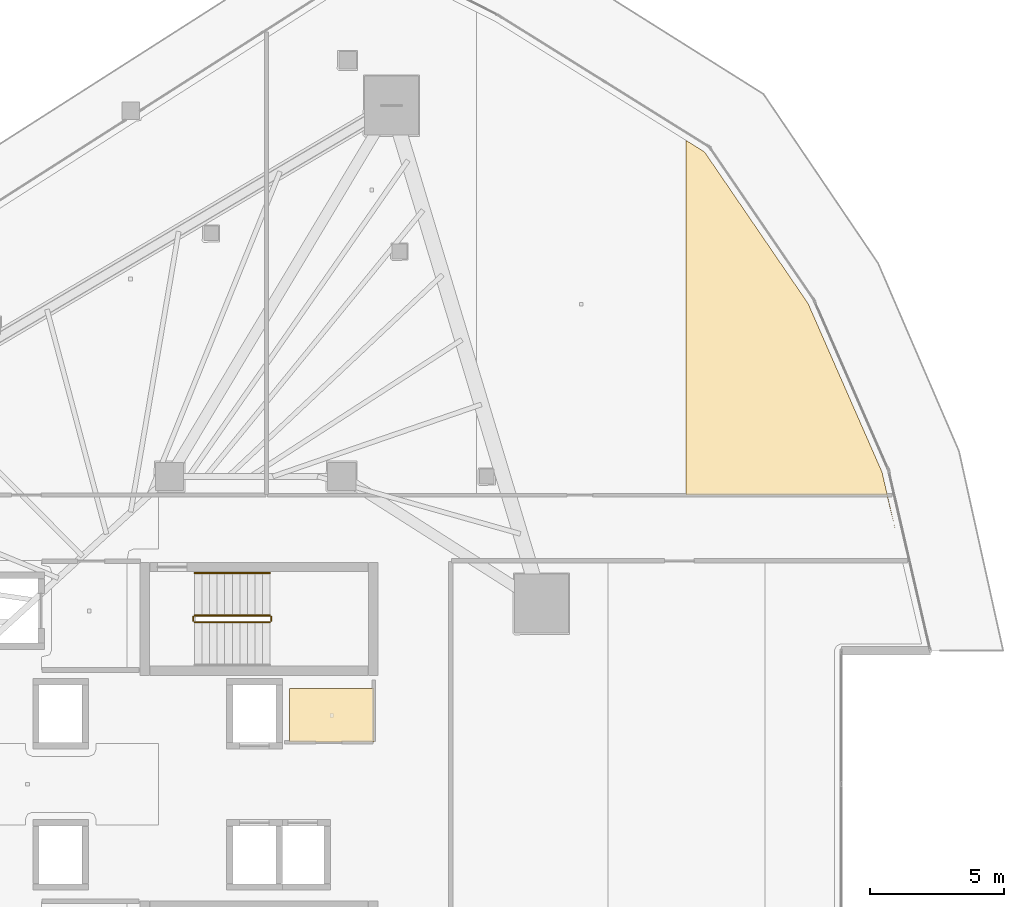
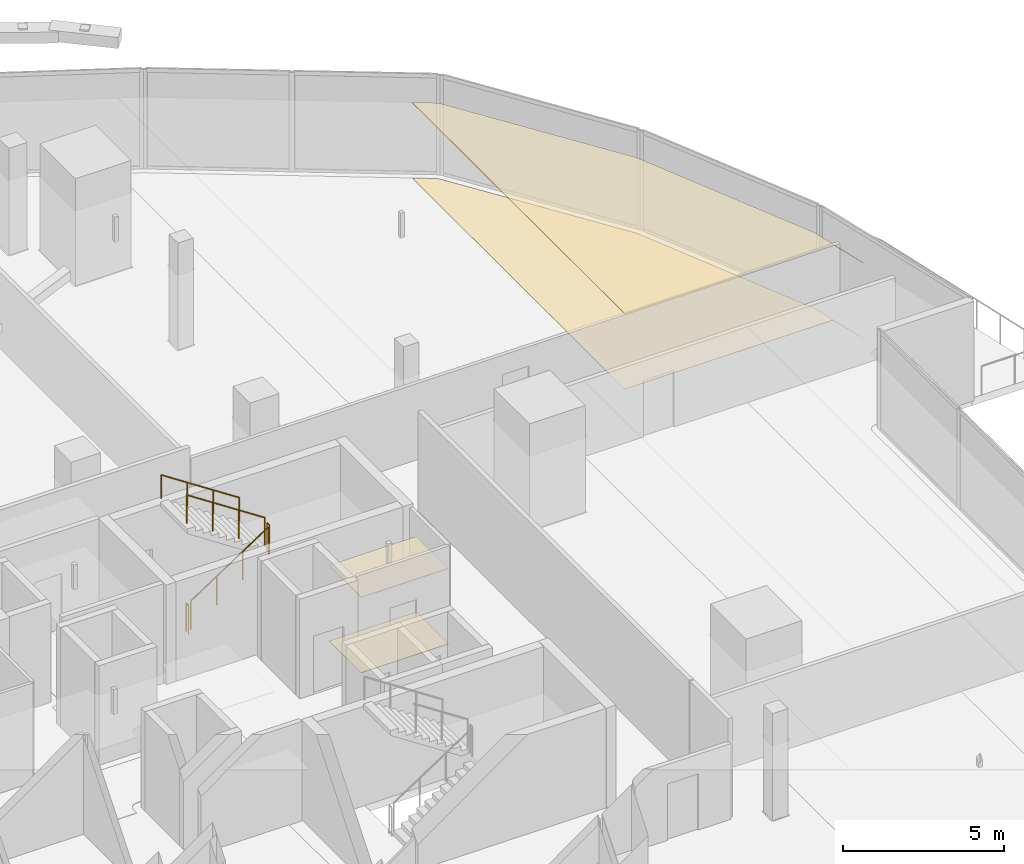
# One storey, part 44 of 45: 5 railings, 4 coverings.
"""IFC4 building model written with IfcOpenShell, lengths in metres."""

import ifcopenshell
import ifcopenshell.guid

model = None  # the IFC model being written
_history = None  # IfcOwnerHistory: only IFC2X3 demands one
_inside = {}  # id of a spatial element -> (the spatial element, [elements in it])
_under = {}  # id of a project, library or spatial element -> (it, [spatial elements below it])
_declared = {}  # id of a project -> (the project, [libraries it declares])
_typed = {}  # id of a type object -> (the type object, [elements of that type])
_made_of = {}  # id of a material, layer set ... -> (it, [elements and type objects made of it])


def new_model(schema):
    """Start an empty IFC model of exactly this schema.

    Asked for "IFC4X3", IfcOpenShell would pick the latest addendum, in which some entities
    have other attributes; the version numbers below select the first issue.
    IFC2X3 requires an IfcOwnerHistory on every rooted entity: one is made here for all.
    """
    global model, _history
    if schema == "IFC4X3":
        model = ifcopenshell.file(schema_version=(4, 3, 0, 0))
    else:
        model = ifcopenshell.file(schema=schema)
    _inside.clear()
    _under.clear()
    _declared.clear()
    _typed.clear()
    _made_of.clear()
    _history = None
    if model.schema == "IFC2X3":
        org = make("IfcOrganization", Name="unknown")
        user = make(
            "IfcPersonAndOrganization",
            ThePerson=make("IfcPerson", FamilyName="unknown"),
            TheOrganization=org,
        )
        app = make(
            "IfcApplication",
            ApplicationDeveloper=org,
            Version="unknown",
            ApplicationFullName="unknown",
            ApplicationIdentifier="unknown",
        )
        _history = make(
            "IfcOwnerHistory",
            OwningUser=user,
            OwningApplication=app,
            ChangeAction="ADDED",
            CreationDate=0,
        )
    return model


def make(cls, **values):
    """One entity of the class cls with the attributes given. An attribute that is None is left unset."""
    return model.create_entity(
        cls, **{name: value for name, value in values.items() if value is not None}
    )


def rooted(cls, **values):
    """An entity with a GlobalId (a new one), such as an element, a storey or a relation."""
    return make(cls, GlobalId=ifcopenshell.guid.new(), OwnerHistory=_history, **values)


def si_unit(unit_type, name, prefix=None):
    """IfcSIUnit, for example si_unit("LENGTHUNIT", "METRE", prefix="MILLI")."""
    return make("IfcSIUnit", UnitType=unit_type, Prefix=prefix, Name=name)


def assignment(units):
    """IfcUnitAssignment: the units of a project."""
    return None if units is None else make("IfcUnitAssignment", Units=units)


def point(xyz):
    """IfcCartesianPoint."""
    return None if xyz is None else make("IfcCartesianPoint", Coordinates=xyz)


def direction(xyz):
    """IfcDirection."""
    return None if xyz is None else make("IfcDirection", DirectionRatios=xyz)


def frame(location, z_axis=None, x_axis=None):
    """IfcAxis2Placement3D, a coordinate frame: its origin and axes. An axis left out is left unset."""
    return make(
        "IfcAxis2Placement3D",
        Location=point(location),
        Axis=direction(z_axis),
        RefDirection=direction(x_axis),
    )


def frame_2d(location, x_axis=None):
    """IfcAxis2Placement2D, a coordinate frame in the plane: its origin and x axis."""
    return make(
        "IfcAxis2Placement2D", Location=point(location), RefDirection=direction(x_axis)
    )


def origin():
    """The frame at (0, 0, 0) with its axes left unset."""
    return frame((0.0, 0.0, 0.0))


def origin_2d():
    """The frame at (0, 0) in the plane with its x axis left unset."""
    return frame_2d((0.0, 0.0))


def place(relative_to, where):
    """IfcLocalPlacement: puts the frame where relative to a parent placement (None: the world)."""
    return make(
        "IfcLocalPlacement", PlacementRelTo=relative_to, RelativePlacement=where
    )


def context(
    kind, dimensions, precision=None, world=None, true_north=None, identifier=None
):
    """IfcGeometricRepresentationContext, for example the 3D "Model" context."""
    return make(
        "IfcGeometricRepresentationContext",
        ContextIdentifier=identifier,
        ContextType=kind,
        CoordinateSpaceDimension=dimensions,
        Precision=precision,
        WorldCoordinateSystem=world,
        TrueNorth=true_north,
    )


def subcontext(parent, identifier, kind, view, scale=None):
    """IfcGeometricRepresentationSubContext, for example "Body" below "Model"."""
    return make(
        "IfcGeometricRepresentationSubContext",
        ContextIdentifier=identifier,
        ContextType=kind,
        ParentContext=parent,
        TargetScale=scale,
        TargetView=view,
    )


def project(units=None, contexts=None):
    """IfcProject with its units and contexts."""
    return rooted(
        "IfcProject",
        Name="project",
        RepresentationContexts=contexts,
        UnitsInContext=assignment(units),
    )


def spatial(cls, under=None, at=None, **own):
    """A site, building, storey or space (cls), placed at a placement, below another one or the project."""
    s = rooted(cls, ObjectPlacement=at, **own)
    if under is not None:
        _under.setdefault(under.id(), (under, []))[1].append(s)
    return s


def polyline(points):
    """IfcPolyline through the points."""
    return make("IfcPolyline", Points=[point(p) for p in points])


def profile(cls, at=None, kind="AREA", **sizes):
    """A parametric profile (cls). Its sizes go by their IFC names, for example OverallWidth=200.0."""
    return make(cls, ProfileType=kind, Position=at, **sizes)


def circle(**sizes):
    """IfcCircleProfileDef."""
    return profile("IfcCircleProfileDef", **sizes)


def outline(outer, holes=None, kind="AREA"):
    """IfcArbitraryClosedProfileDef: a profile drawn as a closed curve; with holes, ...WithVoids."""
    if holes is None:
        return make("IfcArbitraryClosedProfileDef", ProfileType=kind, OuterCurve=outer)
    return make(
        "IfcArbitraryProfileDefWithVoids",
        ProfileType=kind,
        OuterCurve=outer,
        InnerCurves=holes,
    )


def extrude(swept, where, along, depth):
    """IfcExtrudedAreaSolid: the profile swept, set in the frame where, extruded along a direction by depth."""
    return make(
        "IfcExtrudedAreaSolid",
        SweptArea=swept,
        Position=where,
        ExtrudedDirection=direction(along),
        Depth=depth,
    )


def shape(context_of_items, identifier, shape_type, items):
    """IfcShapeRepresentation: the items that make up one representation, for example the "Body"."""
    return make(
        "IfcShapeRepresentation",
        ContextOfItems=context_of_items,
        RepresentationIdentifier=identifier,
        RepresentationType=shape_type,
        Items=items,
    )


def material(Name=None, Category=None):
    """IfcMaterial."""
    return make("IfcMaterial", Name=Name, Category=Category)


def layer(
    of_material, thickness, ventilated=None, Name=None, Category=None, Priority=None
):
    """IfcMaterialLayer: one layer of a wall or slab, of a material (None: an air gap)."""
    return make(
        "IfcMaterialLayer",
        Material=of_material,
        LayerThickness=thickness,
        IsVentilated=ventilated,
        Name=Name,
        Category=Category,
        Priority=Priority,
    )


def layer_set(layers, Name=None):
    """IfcMaterialLayerSet."""
    return make("IfcMaterialLayerSet", MaterialLayers=layers, LayerSetName=Name)


def made_of(thing, what):
    """Note that an element or type object is made of a material, layer set ...; save() writes the relation."""
    if what is not None:
        _made_of.setdefault(what.id(), (what, []))[1].append(thing)
    return thing


def type_object(cls, material=None, **own):
    """A type object (cls), such as IfcWallType, which elements share."""
    return made_of(rooted(cls, **own), material)


def element(
    cls,
    number,
    at=None,
    inside=None,
    cuts=None,
    type_object=None,
    material=None,
    context=None,
    identifier="Body",
    shape_type=None,
    held_by="IfcProductDefinitionShape",
    body=None,
    shapes=None,
    **own,
):
    """One element of the class cls, such as IfcWall. Its Tag is "e" and its number.

    at: its placement. inside: the storey or other place that contains it. cuts: it is an
    opening in that element (IfcRelVoidsElement). A single representation is given by context,
    identifier, shape_type and body (its items); several are given by shapes. held_by: the class
    of the entity that holds the representations. save() writes the other relations.
    """
    e = rooted(cls, Tag="e%d" % number, ObjectPlacement=at, **own)
    if body is not None:
        shapes = [shape(context, identifier, shape_type, body)]
    if shapes is not None:
        e.Representation = make(held_by, Representations=shapes)
    if inside is not None:
        _inside.setdefault(inside.id(), (inside, []))[1].append(e)
    if cuts is not None:
        rooted(
            "IfcRelVoidsElement", RelatingBuildingElement=cuts, RelatedOpeningElement=e
        )
    if type_object is not None:
        _typed.setdefault(type_object.id(), (type_object, []))[1].append(e)
    return made_of(e, material)


def aggregate(whole, parts):
    """IfcRelAggregates: a whole, such as a stair, and the parts it consists of."""
    return rooted("IfcRelAggregates", RelatingObject=whole, RelatedObjects=parts)


def save(model, path):
    """Write the relations noted so far, then the file.

    IfcRelAggregates (storeys below a building ...), IfcRelContainedInSpatialStructure (elements
    in a storey), IfcRelDefinesByType, IfcRelAssociatesMaterial and IfcRelDeclares: one each for
    every whole, place, type object, material and project.
    """
    for whole, parts in _under.values():
        aggregate(whole, parts)
    for where, things in _inside.values():
        rooted(
            "IfcRelContainedInSpatialStructure",
            RelatedElements=things,
            RelatingStructure=where,
        )
    for kind, things in _typed.values():
        rooted("IfcRelDefinesByType", RelatedObjects=things, RelatingType=kind)
    for what, things in _made_of.values():
        rooted("IfcRelAssociatesMaterial", RelatedObjects=things, RelatingMaterial=what)
    for by, libraries in _declared.values():
        rooted("IfcRelDeclares", RelatingContext=by, RelatedDefinitions=libraries)
    model.write(path)


model = new_model("IFC4")

# Units and contexts
model_context = context("Model", 3, precision=1e-05, world=origin(), true_north=direction((0.0, 1.0)))
body_context = subcontext(model_context, "Body", "Model", "MODEL_VIEW")
ifc_project = project(units=[si_unit("LENGTHUNIT", "METRE"), si_unit("AREAUNIT", "SQUARE_METRE"), si_unit("VOLUMEUNIT", "CUBIC_METRE"), si_unit("PLANEANGLEUNIT", "RADIAN"), si_unit("MASSUNIT", "GRAM", prefix="KILO")], contexts=[model_context])

# Site, building, storey
site_placement = place(None, origin())
site = spatial("IfcSite", under=ifc_project, at=site_placement, CompositionType="ELEMENT")
building_placement = place(site_placement, origin())
building = spatial("IfcBuilding", under=site, at=building_placement, Name="Qorvath Tower", CompositionType="ELEMENT")
storey_placement = place(building_placement, frame((0.0, 0.0, 126.0)))
storey = spatial("IfcBuildingStorey", under=building, at=storey_placement, Name="L28", CompositionType="ELEMENT", Elevation=126.0)

# Coverings
ifc_material_1 = material(Name="Acoustic mineral fibre ceiling tile", Category="gypsum")
ifc_layer_1 = layer(ifc_material_1, 0.030029296875)
ifc_layer_set_1 = layer_set([ifc_layer_1], Name="COV-CEIL")
covering_type_1 = type_object("IfcCoveringType", Name="COV-CEIL", PredefinedType="CEILING", material=ifc_layer_set_1)
covering_1_placement = place(storey_placement, frame((0.0, 0.0, 2.85009765625)))
element("IfcCovering", 1, at=covering_1_placement, inside=storey, type_object=covering_type_1, Name="L28 Suspended Acoustic Ceiling 003", PredefinedType="CEILING", context=body_context, shape_type="SweptSolid", body=[
    extrude(outline(polyline([(-16.0048828125, 3.56005859375), (-19.139892578125, 3.56005859375), (-19.139892578125, 1.56494140625), (-16.0048828125, 1.56494140625), (-16.0048828125, 3.56005859375)])), origin(), (0.0, 0.0, 1.0), 0.030029296875),
])
covering_2_placement = place(storey_placement, frame((0.0, 0.0, 2.85009765625)))
element("IfcCovering", 2, at=covering_2_placement, inside=storey, type_object=covering_type_1, Name="L28 Suspended Acoustic Ceiling 014", PredefinedType="CEILING", context=body_context, shape_type="SweptSolid", body=[
    extrude(outline(polyline([(0.1484375, 17.88818359375), (-3.70166015625, 23.522705078125), (-4.391845703125, 23.95361328125), (-4.391845703125, 10.762939453125), (3.0810546875, 10.762939453125), (3.40185546875, 9.44580078125), (2.901123046875, 11.611572265625), (0.1484375, 17.88818359375)])), origin(), (0.0, 0.0, 1.0), 0.030029296875),
])
ifc_material_2 = material(Name="Low-VOC modular carpet tile", Category="textile")
ifc_layer_2 = layer(ifc_material_2, 0.014892578125)
ifc_layer_set_2 = layer_set([ifc_layer_2], Name="COV-FLOOR-CPT")
covering_type_2 = type_object("IfcCoveringType", Name="COV-FLOOR-CPT", PredefinedType="FLOORING", material=ifc_layer_set_2)
covering_3_placement = place(storey_placement, origin())
element("IfcCovering", 3, at=covering_3_placement, inside=storey, type_object=covering_type_2, Name="L28 Floor Finish 003", PredefinedType="FLOORING", context=body_context, shape_type="SweptSolid", body=[
    extrude(outline(polyline([(-16.0048828125, 3.56005859375), (-19.139892578125, 3.56005859375), (-19.139892578125, 1.56494140625), (-16.0048828125, 1.56494140625), (-16.0048828125, 3.56005859375)])), origin(), (0.0, 0.0, 1.0), 0.014892578125),
])
covering_4_placement = place(storey_placement, origin())
element("IfcCovering", 4, at=covering_4_placement, inside=storey, type_object=covering_type_2, Name="L28 Floor Finish 014", PredefinedType="FLOORING", context=body_context, shape_type="SweptSolid", body=[
    extrude(outline(polyline([(0.1484375, 17.88818359375), (-3.70166015625, 23.522705078125), (-4.391845703125, 23.95361328125), (-4.391845703125, 10.762939453125), (3.0810546875, 10.762939453125), (3.40185546875, 9.44580078125), (2.901123046875, 11.611572265625), (0.1484375, 17.88818359375)])), origin(), (0.0, 0.0, 1.0), 0.014892578125),
])

# Railings
ifc_material_3 = material(Name="Painted galvanised steel", Category="steel")
railing_type_1 = type_object("IfcRailingType", Name="RL-STR-GRD", PredefinedType="GUARDRAIL", material=ifc_material_3)
railing_1_placement = place(storey_placement, frame((-22.669921875, 6.030029296875, 0.18408203125)))
element("IfcRailing", 5, at=railing_1_placement, inside=storey, type_object=railing_type_1, Name="L28 TS1 stair guard 1", PredefinedType="GUARDRAIL", context=body_context, shape_type="SweptSolid", body=[
    extrude(circle(Radius=0.02392578125, at=origin_2d()), frame((0.0, 0.0, 1.076171875), z_axis=(0.835575518608, 0.0, 0.549375602573), x_axis=(0.0, 1.0, 0.0)), (0.0, 0.0, 1.0), 3.350830078125),
    extrude(circle(Radius=0.02099609375, at=origin_2d()), origin(), (0.0, 0.0, 1.0), 1.052001953125),
    extrude(circle(Radius=0.02099609375, at=origin_2d()), frame((0.933349609375, 0.0, 0.613525390625)), (0.0, 0.0, 1.0), 1.052001953125),
    extrude(circle(Radius=0.02099609375, at=origin_2d()), frame((1.866455078125, 0.0, 1.227294921875)), (0.0, 0.0, 1.0), 1.052001953125),
    extrude(circle(Radius=0.02099609375, at=origin_2d()), frame((2.7998046875, 0.0, 1.8408203125)), (0.0, 0.0, 1.0), 1.052001953125),
])
railing_2_placement = place(storey_placement, frame((-19.820068359375, 6.080078125, 2.02490234375)))
element("IfcRailing", 6, at=railing_2_placement, inside=storey, type_object=railing_type_1, Name="L28 TS1 stair guard 2", PredefinedType="GUARDRAIL", context=body_context, shape_type="SweptSolid", body=[
    extrude(circle(Radius=0.02392578125, at=origin_2d()), frame((0.0, 0.0, 1.076171875), z_axis=(0.0, 1.0, 0.0), x_axis=(-1.0, 0.0, 0.0)), (0.0, 0.0, 1.0), 0.14990234375),
    extrude(circle(Radius=0.02099609375, at=origin_2d()), origin(), (0.0, 0.0, 1.0), 1.052001953125),
    extrude(circle(Radius=0.02099609375, at=origin_2d()), frame((0.0, 0.14990234375, 0.0)), (0.0, 0.0, 1.0), 1.052001953125),
])
railing_3_placement = place(storey_placement, frame((-19.8701171875, 6.280029296875, 2.208984375)))
element("IfcRailing", 7, at=railing_3_placement, inside=storey, type_object=railing_type_1, Name="L28 TS1 stair guard 3", PredefinedType="GUARDRAIL", context=body_context, shape_type="SweptSolid", body=[
    extrude(circle(Radius=0.02392578125, at=origin_2d()), frame((0.0, 0.0, 1.076171875), z_axis=(-0.835542071712, 0.0, 0.549426470421), x_axis=(0.0, -1.0, 0.0)), (0.0, 0.0, 1.0), 3.350830078125),
    extrude(circle(Radius=0.02099609375, at=origin_2d()), origin(), (0.0, 0.0, 1.0), 1.052001953125),
    extrude(circle(Radius=0.02099609375, at=origin_2d()), frame((-0.933349609375, 0.0, 0.61376953125)), (0.0, 0.0, 1.0), 1.052001953125),
    extrude(circle(Radius=0.02099609375, at=origin_2d()), frame((-1.866455078125, 0.0, 1.227294921875)), (0.0, 0.0, 1.0), 1.052001953125),
    extrude(circle(Radius=0.02099609375, at=origin_2d()), frame((-2.7998046875, 0.0, 1.841064453125)), (0.0, 0.0, 1.0), 1.052001953125),
])
railing_4_placement = place(storey_placement, frame((-22.719970703125, 6.080078125, 0.0)))
element("IfcRailing", 8, at=railing_4_placement, inside=storey, type_object=railing_type_1, Name="L28 TS1 stair guard 4", PredefinedType="GUARDRAIL", context=body_context, shape_type="SweptSolid", body=[
    extrude(circle(Radius=0.02392578125, at=origin_2d()), frame((0.0, 0.0, 1.076171875), z_axis=(0.0, 1.0, 0.0), x_axis=(-1.0, 0.0, 0.0)), (0.0, 0.0, 1.0), 0.14990234375),
    extrude(circle(Radius=0.02099609375, at=origin_2d()), origin(), (0.0, 0.0, 1.0), 1.052001953125),
    extrude(circle(Radius=0.02099609375, at=origin_2d()), frame((0.0, 0.14990234375, 0.0)), (0.0, 0.0, 1.0), 1.052001953125),
])
ifc_material_4 = material(Name="Brushed stainless steel AISI 304", Category="steel")
railing_type_2 = type_object("IfcRailingType", Name="RL-STR-HND", PredefinedType="HANDRAIL", material=ifc_material_4)
railing_5_placement = place(storey_placement, frame((-19.8701171875, 7.860107421875, 2.208984375)))
element("IfcRailing", 9, at=railing_5_placement, inside=storey, type_object=railing_type_2, Name="L28 TS1 stair handrail 2", PredefinedType="HANDRAIL", context=body_context, shape_type="SweptSolid", body=[
    extrude(circle(Radius=0.02392578125, at=origin_2d()), frame((0.0, 0.0, 0.8759765625), z_axis=(-0.835542071712, 0.0, 0.549426470421), x_axis=(0.0, -1.0, 0.0)), (0.0, 0.0, 1.0), 3.350830078125),
    extrude(circle(Radius=0.02099609375, at=origin_2d()), origin(), (0.0, 0.0, 1.0), 0.851806640625),
    extrude(circle(Radius=0.02099609375, at=origin_2d()), frame((-0.933349609375, 0.0, 0.61376953125)), (0.0, 0.0, 1.0), 0.851806640625),
    extrude(circle(Radius=0.02099609375, at=origin_2d()), frame((-1.866455078125, 0.0, 1.227294921875)), (0.0, 0.0, 1.0), 0.851806640625),
    extrude(circle(Radius=0.02099609375, at=origin_2d()), frame((-2.7998046875, 0.0, 1.841064453125)), (0.0, 0.0, 1.0), 0.851806640625),
])

save(model, "model.ifc")
